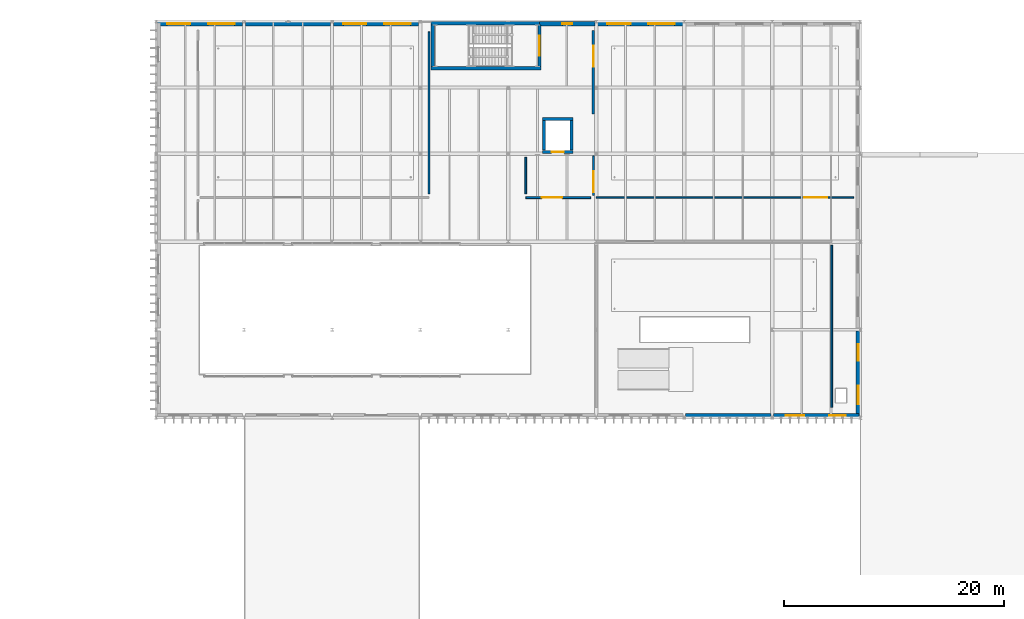
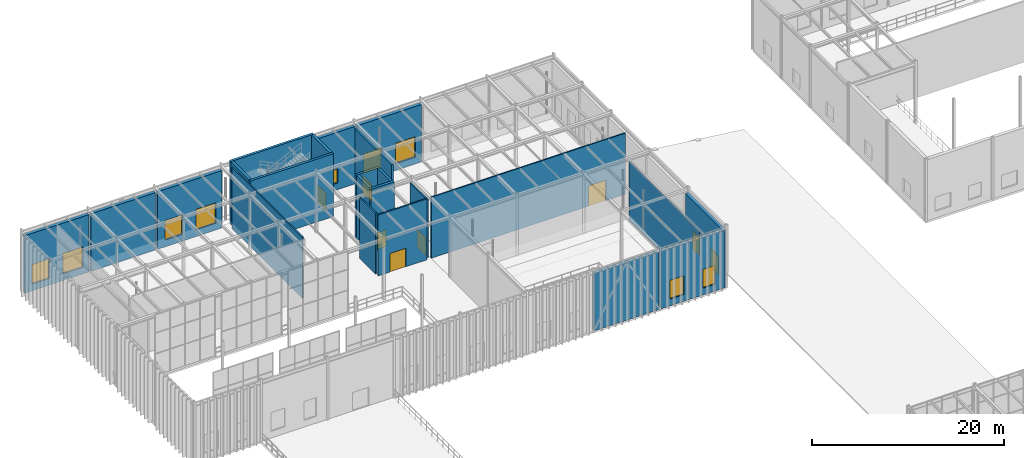
# One storey, part 93 of 138: 23 walls, 11 windows, 6 doors, 17 openings.
"""IFC4 building model written with IfcOpenShell, lengths in metres."""

import ifcopenshell
import ifcopenshell.guid

model = None  # the IFC model being written
_history = None  # IfcOwnerHistory: only IFC2X3 demands one
_inside = {}  # id of a spatial element -> (the spatial element, [elements in it])
_under = {}  # id of a project, library or spatial element -> (it, [spatial elements below it])
_declared = {}  # id of a project -> (the project, [libraries it declares])
_typed = {}  # id of a type object -> (the type object, [elements of that type])
_made_of = {}  # id of a material, layer set ... -> (it, [elements and type objects made of it])


def new_model(schema):
    """Start an empty IFC model of exactly this schema.

    Asked for "IFC4X3", IfcOpenShell would pick the latest addendum, in which some entities
    have other attributes; the version numbers below select the first issue.
    IFC2X3 requires an IfcOwnerHistory on every rooted entity: one is made here for all.
    """
    global model, _history
    if schema == "IFC4X3":
        model = ifcopenshell.file(schema_version=(4, 3, 0, 0))
    else:
        model = ifcopenshell.file(schema=schema)
    _inside.clear()
    _under.clear()
    _declared.clear()
    _typed.clear()
    _made_of.clear()
    _history = None
    if model.schema == "IFC2X3":
        org = make("IfcOrganization", Name="unknown")
        user = make(
            "IfcPersonAndOrganization",
            ThePerson=make("IfcPerson", FamilyName="unknown"),
            TheOrganization=org,
        )
        app = make(
            "IfcApplication",
            ApplicationDeveloper=org,
            Version="unknown",
            ApplicationFullName="unknown",
            ApplicationIdentifier="unknown",
        )
        _history = make(
            "IfcOwnerHistory",
            OwningUser=user,
            OwningApplication=app,
            ChangeAction="ADDED",
            CreationDate=0,
        )
    return model


def make(cls, **values):
    """One entity of the class cls with the attributes given. An attribute that is None is left unset."""
    return model.create_entity(
        cls, **{name: value for name, value in values.items() if value is not None}
    )


def rooted(cls, **values):
    """An entity with a GlobalId (a new one), such as an element, a storey or a relation."""
    return make(cls, GlobalId=ifcopenshell.guid.new(), OwnerHistory=_history, **values)


def si_unit(unit_type, name, prefix=None):
    """IfcSIUnit, for example si_unit("LENGTHUNIT", "METRE", prefix="MILLI")."""
    return make("IfcSIUnit", UnitType=unit_type, Prefix=prefix, Name=name)


def assignment(units):
    """IfcUnitAssignment: the units of a project."""
    return None if units is None else make("IfcUnitAssignment", Units=units)


def point(xyz):
    """IfcCartesianPoint."""
    return None if xyz is None else make("IfcCartesianPoint", Coordinates=xyz)


def direction(xyz):
    """IfcDirection."""
    return None if xyz is None else make("IfcDirection", DirectionRatios=xyz)


def frame(location, z_axis=None, x_axis=None):
    """IfcAxis2Placement3D, a coordinate frame: its origin and axes. An axis left out is left unset."""
    return make(
        "IfcAxis2Placement3D",
        Location=point(location),
        Axis=direction(z_axis),
        RefDirection=direction(x_axis),
    )


def frame_2d(location, x_axis=None):
    """IfcAxis2Placement2D, a coordinate frame in the plane: its origin and x axis."""
    return make(
        "IfcAxis2Placement2D", Location=point(location), RefDirection=direction(x_axis)
    )


def origin():
    """The frame at (0, 0, 0) with its axes left unset."""
    return frame((0.0, 0.0, 0.0))


def place(relative_to, where):
    """IfcLocalPlacement: puts the frame where relative to a parent placement (None: the world)."""
    return make(
        "IfcLocalPlacement", PlacementRelTo=relative_to, RelativePlacement=where
    )


def context(
    kind, dimensions, precision=None, world=None, true_north=None, identifier=None
):
    """IfcGeometricRepresentationContext, for example the 3D "Model" context."""
    return make(
        "IfcGeometricRepresentationContext",
        ContextIdentifier=identifier,
        ContextType=kind,
        CoordinateSpaceDimension=dimensions,
        Precision=precision,
        WorldCoordinateSystem=world,
        TrueNorth=true_north,
    )


def subcontext(parent, identifier, kind, view, scale=None):
    """IfcGeometricRepresentationSubContext, for example "Body" below "Model"."""
    return make(
        "IfcGeometricRepresentationSubContext",
        ContextIdentifier=identifier,
        ContextType=kind,
        ParentContext=parent,
        TargetScale=scale,
        TargetView=view,
    )


def project(units=None, contexts=None):
    """IfcProject with its units and contexts."""
    return rooted(
        "IfcProject",
        Name="project",
        RepresentationContexts=contexts,
        UnitsInContext=assignment(units),
    )


def spatial(cls, under=None, at=None, **own):
    """A site, building, storey or space (cls), placed at a placement, below another one or the project."""
    s = rooted(cls, ObjectPlacement=at, **own)
    if under is not None:
        _under.setdefault(under.id(), (under, []))[1].append(s)
    return s


def profile(cls, at=None, kind="AREA", **sizes):
    """A parametric profile (cls). Its sizes go by their IFC names, for example OverallWidth=200.0."""
    return make(cls, ProfileType=kind, Position=at, **sizes)


def rectangle(**sizes):
    """IfcRectangleProfileDef."""
    return profile("IfcRectangleProfileDef", **sizes)


def extrude(swept, where, along, depth):
    """IfcExtrudedAreaSolid: the profile swept, set in the frame where, extruded along a direction by depth."""
    return make(
        "IfcExtrudedAreaSolid",
        SweptArea=swept,
        Position=where,
        ExtrudedDirection=direction(along),
        Depth=depth,
    )


def shape(context_of_items, identifier, shape_type, items):
    """IfcShapeRepresentation: the items that make up one representation, for example the "Body"."""
    return make(
        "IfcShapeRepresentation",
        ContextOfItems=context_of_items,
        RepresentationIdentifier=identifier,
        RepresentationType=shape_type,
        Items=items,
    )


def material(Name=None, Category=None):
    """IfcMaterial."""
    return make("IfcMaterial", Name=Name, Category=Category)


def layer(
    of_material, thickness, ventilated=None, Name=None, Category=None, Priority=None
):
    """IfcMaterialLayer: one layer of a wall or slab, of a material (None: an air gap)."""
    return make(
        "IfcMaterialLayer",
        Material=of_material,
        LayerThickness=thickness,
        IsVentilated=ventilated,
        Name=Name,
        Category=Category,
        Priority=Priority,
    )


def layer_set(layers, Name=None):
    """IfcMaterialLayerSet."""
    return make("IfcMaterialLayerSet", MaterialLayers=layers, LayerSetName=Name)


def made_of(thing, what):
    """Note that an element or type object is made of a material, layer set ...; save() writes the relation."""
    if what is not None:
        _made_of.setdefault(what.id(), (what, []))[1].append(thing)
    return thing


def type_object(cls, material=None, **own):
    """A type object (cls), such as IfcWallType, which elements share."""
    return made_of(rooted(cls, **own), material)


def element(
    cls,
    number,
    at=None,
    inside=None,
    cuts=None,
    type_object=None,
    material=None,
    context=None,
    identifier="Body",
    shape_type=None,
    held_by="IfcProductDefinitionShape",
    body=None,
    shapes=None,
    **own,
):
    """One element of the class cls, such as IfcWall. Its Tag is "e" and its number.

    at: its placement. inside: the storey or other place that contains it. cuts: it is an
    opening in that element (IfcRelVoidsElement). A single representation is given by context,
    identifier, shape_type and body (its items); several are given by shapes. held_by: the class
    of the entity that holds the representations. save() writes the other relations.
    """
    e = rooted(cls, Tag="e%d" % number, ObjectPlacement=at, **own)
    if body is not None:
        shapes = [shape(context, identifier, shape_type, body)]
    if shapes is not None:
        e.Representation = make(held_by, Representations=shapes)
    if inside is not None:
        _inside.setdefault(inside.id(), (inside, []))[1].append(e)
    if cuts is not None:
        rooted(
            "IfcRelVoidsElement", RelatingBuildingElement=cuts, RelatedOpeningElement=e
        )
    if type_object is not None:
        _typed.setdefault(type_object.id(), (type_object, []))[1].append(e)
    return made_of(e, material)


def fill(opening, filler):
    """IfcRelFillsElement: the door or window that sits in an opening."""
    return rooted(
        "IfcRelFillsElement",
        RelatingOpeningElement=opening,
        RelatedBuildingElement=filler,
    )


def aggregate(whole, parts):
    """IfcRelAggregates: a whole, such as a stair, and the parts it consists of."""
    return rooted("IfcRelAggregates", RelatingObject=whole, RelatedObjects=parts)


def save(model, path):
    """Write the relations noted so far, then the file.

    IfcRelAggregates (storeys below a building ...), IfcRelContainedInSpatialStructure (elements
    in a storey), IfcRelDefinesByType, IfcRelAssociatesMaterial and IfcRelDeclares: one each for
    every whole, place, type object, material and project.
    """
    for whole, parts in _under.values():
        aggregate(whole, parts)
    for where, things in _inside.values():
        rooted(
            "IfcRelContainedInSpatialStructure",
            RelatedElements=things,
            RelatingStructure=where,
        )
    for kind, things in _typed.values():
        rooted("IfcRelDefinesByType", RelatedObjects=things, RelatingType=kind)
    for what, things in _made_of.values():
        rooted("IfcRelAssociatesMaterial", RelatedObjects=things, RelatingMaterial=what)
    for by, libraries in _declared.values():
        rooted("IfcRelDeclares", RelatingContext=by, RelatedDefinitions=libraries)
    model.write(path)


model = new_model("IFC4")

# Units and contexts
model_context = context("Model", 3, precision=1e-05, world=origin(), true_north=direction((0.0, 1.0)))
body_context = subcontext(model_context, "Body", "Model", "MODEL_VIEW")
ifc_project = project(units=[si_unit("LENGTHUNIT", "METRE"), si_unit("AREAUNIT", "SQUARE_METRE"), si_unit("VOLUMEUNIT", "CUBIC_METRE"), si_unit("PLANEANGLEUNIT", "RADIAN"), si_unit("MASSUNIT", "GRAM", prefix="KILO")], contexts=[model_context])

# Site, building, storey
site_placement = place(None, origin())
site = spatial("IfcSite", under=ifc_project, at=site_placement, CompositionType="ELEMENT")
building_placement = place(site_placement, origin())
building = spatial("IfcBuilding", under=site, at=building_placement, Name="Sundkrona Museum", CompositionType="ELEMENT")
storey_placement = place(building_placement, frame((0.0, 0.0, 9.60009765625)))
storey = spatial("IfcBuildingStorey", under=building, at=storey_placement, Name="L02", CompositionType="ELEMENT", Elevation=9.60009765625)

# Walls
ifc_material_1 = material(Name="Concrete C40/50", Category="concrete")
ifc_layer_1 = layer(ifc_material_1, 0.300048828125)
ifc_layer_set_1 = layer_set([ifc_layer_1], Name="Concrete C40/50")
wall_type_1 = type_object("IfcWallType", Name="W-CORE-300", PredefinedType="SHEAR", material=ifc_layer_set_1)
for number, where, z_axis, x_axis, name in (
    (1, (41.0, 109.75, 0.0), (0.0, 0.0, 1.0), (1.0, 0.0, 0.0), "L02 ST-3 Core Shear Wall South"),
    (2, (41.0, 113.85009765625, 0.0), (0.0, 0.0, 1.0), (1.0, 0.0, 0.0), "L02 ST-3 Core Shear Wall North"),
):
    element("IfcWall", number, at=place(storey_placement, frame(where, z_axis=z_axis, x_axis=x_axis)), inside=storey, type_object=wall_type_1, Name=name, PredefinedType="SHEAR", context=body_context, shape_type="SweptSolid", body=[
        extrude(rectangle(XDim=10.0, YDim=0.300048828125, at=frame_2d((5.0, 0.0))), origin(), (0.0, 0.0, 1.0), 8.0),
    ])
wall_1_placement = place(storey_placement, frame((41.14990234375, 109.909912109375, 0.0), z_axis=(0.0, 0.0, 1.0), x_axis=(0.0, 1.0, 0.0)))
element("IfcWall", 3, at=wall_1_placement, inside=storey, type_object=wall_type_1, Name="L02 ST-3 Core Shear Wall West", PredefinedType="SHEAR", context=body_context, shape_type="SweptSolid", body=[
    extrude(rectangle(XDim=3.780029296875, YDim=0.300048828125, at=frame_2d((1.89013671875, 0.0))), origin(), (0.0, 0.0, 1.0), 8.0),
])

# Wall, opening, door
wall_2_placement = place(storey_placement, frame((50.85009765625, 109.909912109375, 0.0), z_axis=(0.0, 0.0, 1.0), x_axis=(0.0, 1.0, 0.0)))
wall_2 = element("IfcWall", 4, at=wall_2_placement, inside=storey, type_object=wall_type_1, Name="L02 ST-3 Core Shear Wall East", PredefinedType="SHEAR", context=body_context, shape_type="SweptSolid", body=[
    extrude(rectangle(XDim=3.780029296875, YDim=0.300048828125, at=frame_2d((1.89013671875, 0.0))), origin(), (0.0, 0.0, 1.0), 8.0),
])
opening_1_placement = place(wall_2_placement, frame((0.989990234375, 0.0, 0.0)))
opening_1 = element("IfcOpeningElement", 5, at=opening_1_placement, cuts=wall_2, Name="Opening D-FD60", PredefinedType="OPENING", context=body_context, shape_type="SweptSolid", body=[
    extrude(rectangle(XDim=1.800048828125, YDim=2.199951171875, at=frame_2d((0.89990234375, 1.10009765625))), frame((0.0, 0.159912109375, 0.0), z_axis=(0.0, -1.0, 0.0), x_axis=(1.0, 0.0, 0.0)), (0.0, 0.0, 1.0), 0.320068359375),
])
ifc_material_2 = material(Name="Steel S355J2 Fire Door Leaf", Category="steel")
door_type_1 = type_object("IfcDoorType", Name="D-FD60", OperationType="DOUBLE_DOOR_SINGLE_SWING", PredefinedType="DOOR", material=ifc_material_2)
door_1_placement = place(opening_1_placement, origin())
door_1 = element("IfcDoor", 6, at=door_1_placement, inside=storey, type_object=door_type_1, Name="L02 ST-3 Protected Escape Stair Door DR-ST-3-L02", OperationType="DOUBLE_DOOR_SINGLE_SWING", OverallHeight=2.199951171875, OverallWidth=1.800048828125, PredefinedType="DOOR", context=body_context, shape_type="SweptSolid", body=[
    extrude(rectangle(XDim=1.800048828125, YDim=2.199951171875, at=frame_2d((0.89990234375, 1.10009765625))), frame((0.0, 0.02490234375, 0.0), z_axis=(0.0, -1.0, 0.0), x_axis=(1.0, 0.0, 0.0)), (0.0, 0.0, 1.0), 0.050048828125),
])
fill(opening_1, door_1)

wall_3_placement = place(storey_placement, frame((51.10009765625, 102.14990234375, 0.0), z_axis=(0.0, 0.0, 1.0), x_axis=(1.0, 0.0, 0.0)))
wall_3 = element("IfcWall", 7, at=wall_3_placement, inside=storey, type_object=wall_type_1, Name="L02 PL-3 Lift Shaft Wall South", PredefinedType="SHEAR", context=body_context, shape_type="SweptSolid", body=[
    extrude(rectangle(XDim=2.7998046875, YDim=0.300048828125, at=frame_2d((1.39990234375, 0.0))), origin(), (0.0, 0.0, 1.0), 8.0),
])
opening_2_placement = place(wall_3_placement, frame((0.85009765625, 0.0, 0.0)))
opening_2 = element("IfcOpeningElement", 8, at=opening_2_placement, cuts=wall_3, Name="Opening LD-01", PredefinedType="OPENING", context=body_context, shape_type="SweptSolid", body=[
    extrude(rectangle(XDim=1.10009765625, YDim=2.14990234375, at=frame_2d((0.550048828125, 1.074951171875))), frame((0.0, 0.159912109375, 0.0), z_axis=(0.0, -1.0, 0.0), x_axis=(1.0, 0.0, 0.0)), (0.0, 0.0, 1.0), 0.320068359375),
])
ifc_material_3 = material(Name="Brushed Stainless Steel Lift Door", Category="steel")
door_type_2 = type_object("IfcDoorType", Name="LD-01", OperationType="SLIDING_TO_LEFT", PredefinedType="DOOR", material=ifc_material_3)
door_2_placement = place(opening_2_placement, origin())
door_2 = element("IfcDoor", 9, at=door_2_placement, inside=storey, type_object=door_type_2, Name="L02 North-West Gallery Passenger Lift PL-3 Landing Door DR-LIFT-PL-3-L02", OperationType="SLIDING_TO_LEFT", OverallHeight=2.14990234375, OverallWidth=1.10009765625, PredefinedType="DOOR", context=body_context, shape_type="SweptSolid", body=[
    extrude(rectangle(XDim=1.10009765625, YDim=2.14990234375, at=frame_2d((0.550048828125, 1.074951171875))), frame((0.0, 0.02490234375, 0.0), z_axis=(0.0, -1.0, 0.0), x_axis=(1.0, 0.0, 0.0)), (0.0, 0.0, 1.0), 0.050048828125),
])
fill(opening_2, door_2)

# Walls
wall_4_placement = place(storey_placement, frame((51.10009765625, 105.14990234375, 0.0), z_axis=(0.0, 0.0, 1.0), x_axis=(1.0, 0.0, 0.0)))
element("IfcWall", 10, at=wall_4_placement, inside=storey, type_object=wall_type_1, Name="L02 PL-3 Lift Shaft Wall North", PredefinedType="SHEAR", context=body_context, shape_type="SweptSolid", body=[
    extrude(rectangle(XDim=2.7998046875, YDim=0.300048828125, at=frame_2d((1.39990234375, 0.0))), origin(), (0.0, 0.0, 1.0), 8.0),
])
for number, where, z_axis, x_axis, name in (
    (11, (51.25, 102.31005859375, 0.0), (0.0, 0.0, 1.0), (0.0, 1.0, 0.0), "L02 PL-3 Lift Shaft Wall West"),
    (12, (53.75, 102.31005859375, 0.0), (0.0, 0.0, 1.0), (0.0, 1.0, 0.0), "L02 PL-3 Lift Shaft Wall East"),
):
    element("IfcWall", number, at=place(storey_placement, frame(where, z_axis=z_axis, x_axis=x_axis)), inside=storey, type_object=wall_type_1, Name=name, PredefinedType="SHEAR", context=body_context, shape_type="SweptSolid", body=[
        extrude(rectangle(XDim=2.679931640625, YDim=0.300048828125, at=frame_2d((1.33984375, 0.0))), origin(), (0.0, 0.0, 1.0), 8.0),
    ])
ifc_material_4 = material(Name="Scanian Polychrome Clay Brickwork 390 mm", Category="masonry")
ifc_layer_2 = layer(ifc_material_4, 0.389892578125)
ifc_layer_set_2 = layer_set([ifc_layer_2], Name="Scanian Polychrome Clay Brickwork 390 mm")
wall_type_2 = type_object("IfcWallType", Name="W-EX-390", PredefinedType="SOLIDWALL", material=ifc_layer_set_2)
wall_5_placement = place(storey_placement, frame((71.867919921875, 78.195068359375, 0.0), z_axis=(0.0, 0.0, 1.0), x_axis=(-1.0, 0.0, 0.0)))
element("IfcWall", 13, at=wall_5_placement, inside=storey, type_object=wall_type_2, Name="L02 Facade Wall 0140", PredefinedType="SOLIDWALL", context=body_context, shape_type="SweptSolid", body=[
    extrude(rectangle(XDim=7.73583984375, YDim=0.389892578125, at=frame_2d((3.867919921875, 0.0))), origin(), (0.0, 0.0, 1.0), 7.304931640625),
])

# Wall, openings, windows
wall_6_placement = place(storey_placement, frame((79.85791015625, 78.195068359375, 0.0), z_axis=(0.0, 0.0, 1.0), x_axis=(-1.0, 0.0, 0.0)))
wall_6 = element("IfcWall", 14, at=wall_6_placement, inside=storey, type_object=wall_type_2, Name="L02 Facade Wall 0141", PredefinedType="SOLIDWALL", context=body_context, shape_type="SweptSolid", body=[
    extrude(rectangle(XDim=7.725830078125, YDim=0.389892578125, at=frame_2d((3.86279296875, 0.0))), origin(), (0.0, 0.0, 1.0), 7.304931640625),
])
opening_3_placement = place(wall_6_placement, frame((1.181396484375, 0.0, 0.85009765625)))
opening_3 = element("IfcOpeningElement", 15, at=opening_3_placement, cuts=wall_6, Name="Opening WN-GL-150x240", PredefinedType="OPENING", context=body_context, shape_type="SweptSolid", body=[
    extrude(rectangle(XDim=1.5, YDim=2.39990234375, at=frame_2d((0.75, 1.199951171875))), frame((0.0, 0.204833984375, 0.0), z_axis=(0.0, -1.0, 0.0), x_axis=(1.0, 0.0, 0.0)), (0.0, 0.0, 1.0), 0.409912109375),
])
opening_4_placement = place(wall_6_placement, frame((4.944580078125, 0.0, 0.85009765625)))
opening_4 = element("IfcOpeningElement", 16, at=opening_4_placement, cuts=wall_6, Name="Opening WN-GL-170x240", PredefinedType="OPENING", context=body_context, shape_type="SweptSolid", body=[
    extrude(rectangle(XDim=1.699951171875, YDim=2.39990234375, at=frame_2d((0.85009765625, 1.199951171875))), frame((0.0, 0.204833984375, 0.0), z_axis=(0.0, -1.0, 0.0), x_axis=(1.0, 0.0, 0.0)), (0.0, 0.0, 1.0), 0.409912109375),
])
ifc_material_5 = material(Name="Triple Low-E Argon Glazing in Bronze-Anodised Aluminium", Category="aluminium")
window_type_1 = type_object("IfcWindowType", Name="WN-GL-150x240", PartitioningType="SINGLE_PANEL", PredefinedType="WINDOW", material=ifc_material_5)
window_1_placement = place(opening_3_placement, origin())
window_1 = element("IfcWindow", 17, at=window_1_placement, inside=storey, type_object=window_type_1, Name="L02 Finned wing deep-reveal gallery window 1500x2400 WIN-L02-0193", OverallHeight=2.39990234375, OverallWidth=1.5, PartitioningType="SINGLE_PANEL", PredefinedType="WINDOW", context=body_context, shape_type="SweptSolid", body=[
    extrude(rectangle(XDim=1.5, YDim=2.39990234375, at=frame_2d((0.75, 1.199951171875))), frame((0.0, 0.030029296875, 0.0), z_axis=(0.0, -1.0, 0.0), x_axis=(1.0, 0.0, 0.0)), (0.0, 0.0, 1.0), 0.06005859375),
])
fill(opening_3, window_1)
window_type_2 = type_object("IfcWindowType", Name="WN-GL-170x240", PartitioningType="DOUBLE_PANEL_VERTICAL", PredefinedType="WINDOW", material=ifc_material_5)
window_2_placement = place(opening_4_placement, origin())
window_2 = element("IfcWindow", 18, at=window_2_placement, inside=storey, type_object=window_type_2, Name="L02 Finned wing wide gallery window 1700x2400 WIN-L02-0194", OverallHeight=2.39990234375, OverallWidth=1.699951171875, PartitioningType="DOUBLE_PANEL_VERTICAL", PredefinedType="WINDOW", context=body_context, shape_type="SweptSolid", body=[
    extrude(rectangle(XDim=1.699951171875, YDim=2.39990234375, at=frame_2d((0.85009765625, 1.199951171875))), frame((0.0, 0.030029296875, 0.0), z_axis=(0.0, -1.0, 0.0), x_axis=(1.0, 0.0, 0.0)), (0.0, 0.0, 1.0), 0.06005859375),
])
fill(opening_4, window_2)

wall_7_placement = place(storey_placement, frame((16.132080078125, 113.804931640625, 0.0), z_axis=(0.0, 0.0, 1.0), x_axis=(1.0, 0.0, 0.0)))
wall_7 = element("IfcWall", 19, at=wall_7_placement, inside=storey, type_object=wall_type_2, Name="L02 Facade Wall 0147", PredefinedType="SOLIDWALL", context=body_context, shape_type="SweptSolid", body=[
    extrude(rectangle(XDim=7.73583984375, YDim=0.389892578125, at=frame_2d((3.867919921875, 0.0))), origin(), (0.0, 0.0, 1.0), 7.304931640625),
])
opening_5_placement = place(wall_7_placement, frame((0.884033203125, 0.0, 0.85009765625)))
opening_5 = element("IfcOpeningElement", 20, at=opening_5_placement, cuts=wall_7, Name="Opening WN-GL-210x250", PredefinedType="OPENING", context=body_context, shape_type="SweptSolid", body=[
    extrude(rectangle(XDim=2.10009765625, YDim=2.5, at=frame_2d((1.050048828125, 1.25))), frame((0.0, 0.204833984375, 0.0), z_axis=(0.0, -1.0, 0.0), x_axis=(1.0, 0.0, 0.0)), (0.0, 0.0, 1.0), 0.409912109375),
])
opening_6_placement = place(wall_7_placement, frame((4.60205078125, 0.0, 0.85009765625)))
opening_6 = element("IfcOpeningElement", 21, at=opening_6_placement, cuts=wall_7, Name="Opening WN-GL-240x260", PredefinedType="OPENING", context=body_context, shape_type="SweptSolid", body=[
    extrude(rectangle(XDim=2.39990234375, YDim=2.60009765625, at=frame_2d((1.199951171875, 1.300048828125))), frame((0.0, 0.204833984375, 0.0), z_axis=(0.0, -1.0, 0.0), x_axis=(1.0, 0.0, 0.0)), (0.0, 0.0, 1.0), 0.409912109375),
])
window_type_3 = type_object("IfcWindowType", Name="WN-GL-210x250", PartitioningType="DOUBLE_PANEL_VERTICAL", PredefinedType="WINDOW", material=ifc_material_5)
window_3_placement = place(opening_5_placement, origin())
window_3 = element("IfcWindow", 22, at=window_3_placement, inside=storey, type_object=window_type_3, Name="L02 Botanical court outlook window 2100x2500 WIN-L02-0201", OverallHeight=2.5, OverallWidth=2.10009765625, PartitioningType="DOUBLE_PANEL_VERTICAL", PredefinedType="WINDOW", context=body_context, shape_type="SweptSolid", body=[
    extrude(rectangle(XDim=2.10009765625, YDim=2.5, at=frame_2d((1.050048828125, 1.25))), frame((0.0, 0.030029296875, 0.0), z_axis=(0.0, -1.0, 0.0), x_axis=(1.0, 0.0, 0.0)), (0.0, 0.0, 1.0), 0.06005859375),
])
fill(opening_5, window_3)
window_type_4 = type_object("IfcWindowType", Name="WN-GL-240x260", PartitioningType="TRIPLE_PANEL_VERTICAL", PredefinedType="WINDOW", material=ifc_material_5)
window_4_placement = place(opening_6_placement, origin())
window_4 = element("IfcWindow", 23, at=window_4_placement, inside=storey, type_object=window_type_4, Name="L02 Cloister garden picture window 2400x2600 WIN-L02-0202", OverallHeight=2.60009765625, OverallWidth=2.39990234375, PartitioningType="TRIPLE_PANEL_VERTICAL", PredefinedType="WINDOW", context=body_context, shape_type="SweptSolid", body=[
    extrude(rectangle(XDim=2.39990234375, YDim=2.60009765625, at=frame_2d((1.199951171875, 1.300048828125))), frame((0.0, 0.030029296875, 0.0), z_axis=(0.0, -1.0, 0.0), x_axis=(1.0, 0.0, 0.0)), (0.0, 0.0, 1.0), 0.06005859375),
])
fill(opening_6, window_4)

# Wall
wall_8_placement = place(storey_placement, frame((24.132080078125, 113.804931640625, 0.0), z_axis=(0.0, 0.0, 1.0), x_axis=(1.0, 0.0, 0.0)))
element("IfcWall", 24, at=wall_8_placement, inside=storey, type_object=wall_type_2, Name="L02 Facade Wall 0148", PredefinedType="SOLIDWALL", context=body_context, shape_type="SweptSolid", body=[
    extrude(rectangle(XDim=7.73583984375, YDim=0.389892578125, at=frame_2d((3.867919921875, 0.0))), origin(), (0.0, 0.0, 1.0), 7.304931640625),
])

# Wall, openings, windows
wall_9_placement = place(storey_placement, frame((32.132080078125, 113.804931640625, 0.0), z_axis=(0.0, 0.0, 1.0), x_axis=(1.0, 0.0, 0.0)))
wall_9 = element("IfcWall", 25, at=wall_9_placement, inside=storey, type_object=wall_type_2, Name="L02 Facade Wall 0149", PredefinedType="SOLIDWALL", context=body_context, shape_type="SweptSolid", body=[
    extrude(rectangle(XDim=7.73583984375, YDim=0.389892578125, at=frame_2d((3.867919921875, 0.0))), origin(), (0.0, 0.0, 1.0), 7.304931640625),
])
opening_7_placement = place(wall_9_placement, frame((0.884033203125, 0.0, 0.85009765625)))
opening_7 = element("IfcOpeningElement", 26, at=opening_7_placement, cuts=wall_9, Name="Opening WN-GL-210x250", PredefinedType="OPENING", context=body_context, shape_type="SweptSolid", body=[
    extrude(rectangle(XDim=2.10009765625, YDim=2.5, at=frame_2d((1.050048828125, 1.25))), frame((0.0, 0.204833984375, 0.0), z_axis=(0.0, -1.0, 0.0), x_axis=(1.0, 0.0, 0.0)), (0.0, 0.0, 1.0), 0.409912109375),
])
opening_8_placement = place(wall_9_placement, frame((4.60205078125, 0.0, 0.85009765625)))
opening_8 = element("IfcOpeningElement", 27, at=opening_8_placement, cuts=wall_9, Name="Opening WN-GL-240x260", PredefinedType="OPENING", context=body_context, shape_type="SweptSolid", body=[
    extrude(rectangle(XDim=2.39990234375, YDim=2.60009765625, at=frame_2d((1.199951171875, 1.300048828125))), frame((0.0, 0.204833984375, 0.0), z_axis=(0.0, -1.0, 0.0), x_axis=(1.0, 0.0, 0.0)), (0.0, 0.0, 1.0), 0.409912109375),
])
window_5_placement = place(opening_7_placement, origin())
window_5 = element("IfcWindow", 28, at=window_5_placement, inside=storey, type_object=window_type_3, Name="L02 Botanical court outlook window 2100x2500 WIN-L02-0203", OverallHeight=2.5, OverallWidth=2.10009765625, PartitioningType="DOUBLE_PANEL_VERTICAL", PredefinedType="WINDOW", context=body_context, shape_type="SweptSolid", body=[
    extrude(rectangle(XDim=2.10009765625, YDim=2.5, at=frame_2d((1.050048828125, 1.25))), frame((0.0, 0.030029296875, 0.0), z_axis=(0.0, -1.0, 0.0), x_axis=(1.0, 0.0, 0.0)), (0.0, 0.0, 1.0), 0.06005859375),
])
fill(opening_7, window_5)
window_6_placement = place(opening_8_placement, origin())
window_6 = element("IfcWindow", 29, at=window_6_placement, inside=storey, type_object=window_type_4, Name="L02 Cloister garden picture window 2400x2600 WIN-L02-0204", OverallHeight=2.60009765625, OverallWidth=2.39990234375, PartitioningType="TRIPLE_PANEL_VERTICAL", PredefinedType="WINDOW", context=body_context, shape_type="SweptSolid", body=[
    extrude(rectangle(XDim=2.39990234375, YDim=2.60009765625, at=frame_2d((1.199951171875, 1.300048828125))), frame((0.0, 0.030029296875, 0.0), z_axis=(0.0, -1.0, 0.0), x_axis=(1.0, 0.0, 0.0)), (0.0, 0.0, 1.0), 0.06005859375),
])
fill(opening_8, window_6)

# Wall, opening, window
wall_10_placement = place(storey_placement, frame((50.860107421875, 113.804931640625, 0.0), z_axis=(0.0, 0.0, 1.0), x_axis=(1.0, 0.0, 0.0)))
wall_10 = element("IfcWall", 30, at=wall_10_placement, inside=storey, type_object=wall_type_2, Name="L02 Facade Wall 0150", PredefinedType="SOLIDWALL", context=body_context, shape_type="SweptSolid", body=[
    extrude(rectangle(XDim=5.0078125, YDim=0.389892578125, at=frame_2d((2.50390625, 0.0))), origin(), (0.0, 0.0, 1.0), 7.304931640625),
])
opening_9_placement = place(wall_10_placement, frame((2.053955078125, 0.0, 0.85009765625)))
opening_9 = element("IfcOpeningElement", 31, at=opening_9_placement, cuts=wall_10, Name="Opening WN-ST-090x180", PredefinedType="OPENING", context=body_context, shape_type="SweptSolid", body=[
    extrude(rectangle(XDim=0.89990234375, YDim=1.800048828125, at=frame_2d((0.449951171875, 0.89990234375))), frame((0.0, 0.204833984375, 0.0), z_axis=(0.0, -1.0, 0.0), x_axis=(1.0, 0.0, 0.0)), (0.0, 0.0, 1.0), 0.409912109375),
])
window_type_5 = type_object("IfcWindowType", Name="WN-ST-090x180", PartitioningType="SINGLE_PANEL", PredefinedType="WINDOW", material=ifc_material_5)
window_7_placement = place(opening_9_placement, origin())
window_7 = element("IfcWindow", 32, at=window_7_placement, inside=storey, type_object=window_type_5, Name="L02 Stair-core avenue daylight slot window 900x1800 WIN-L02-0205", OverallHeight=1.800048828125, OverallWidth=0.89990234375, PartitioningType="SINGLE_PANEL", PredefinedType="WINDOW", context=body_context, shape_type="SweptSolid", body=[
    extrude(rectangle(XDim=0.89990234375, YDim=1.800048828125, at=frame_2d((0.449951171875, 0.89990234375))), frame((0.0, 0.030029296875, 0.0), z_axis=(0.0, -1.0, 0.0), x_axis=(1.0, 0.0, 0.0)), (0.0, 0.0, 1.0), 0.06005859375),
])
fill(opening_9, window_7)

# Wall, openings, windows
wall_11_placement = place(storey_placement, frame((56.132080078125, 113.804931640625, 0.0), z_axis=(0.0, 0.0, 1.0), x_axis=(1.0, 0.0, 0.0)))
wall_11 = element("IfcWall", 33, at=wall_11_placement, inside=storey, type_object=wall_type_2, Name="L02 Facade Wall 0151", PredefinedType="SOLIDWALL", context=body_context, shape_type="SweptSolid", body=[
    extrude(rectangle(XDim=7.73583984375, YDim=0.389892578125, at=frame_2d((3.867919921875, 0.0))), origin(), (0.0, 0.0, 1.0), 7.304931640625),
])
opening_10_placement = place(wall_11_placement, frame((0.884033203125, 0.0, 0.85009765625)))
opening_10 = element("IfcOpeningElement", 34, at=opening_10_placement, cuts=wall_11, Name="Opening WN-GL-210x250", PredefinedType="OPENING", context=body_context, shape_type="SweptSolid", body=[
    extrude(rectangle(XDim=2.10009765625, YDim=2.5, at=frame_2d((1.050048828125, 1.25))), frame((0.0, 0.204833984375, 0.0), z_axis=(0.0, -1.0, 0.0), x_axis=(1.0, 0.0, 0.0)), (0.0, 0.0, 1.0), 0.409912109375),
])
opening_11_placement = place(wall_11_placement, frame((4.60205078125, 0.0, 0.85009765625)))
opening_11 = element("IfcOpeningElement", 35, at=opening_11_placement, cuts=wall_11, Name="Opening WN-GL-240x260", PredefinedType="OPENING", context=body_context, shape_type="SweptSolid", body=[
    extrude(rectangle(XDim=2.39990234375, YDim=2.60009765625, at=frame_2d((1.199951171875, 1.300048828125))), frame((0.0, 0.204833984375, 0.0), z_axis=(0.0, -1.0, 0.0), x_axis=(1.0, 0.0, 0.0)), (0.0, 0.0, 1.0), 0.409912109375),
])
window_8_placement = place(opening_10_placement, origin())
window_8 = element("IfcWindow", 36, at=window_8_placement, inside=storey, type_object=window_type_3, Name="L02 Botanical court outlook window 2100x2500 WIN-L02-0206", OverallHeight=2.5, OverallWidth=2.10009765625, PartitioningType="DOUBLE_PANEL_VERTICAL", PredefinedType="WINDOW", context=body_context, shape_type="SweptSolid", body=[
    extrude(rectangle(XDim=2.10009765625, YDim=2.5, at=frame_2d((1.050048828125, 1.25))), frame((0.0, 0.030029296875, 0.0), z_axis=(0.0, -1.0, 0.0), x_axis=(1.0, 0.0, 0.0)), (0.0, 0.0, 1.0), 0.06005859375),
])
fill(opening_10, window_8)
window_9_placement = place(opening_11_placement, origin())
window_9 = element("IfcWindow", 37, at=window_9_placement, inside=storey, type_object=window_type_4, Name="L02 Cloister garden picture window 2400x2600 WIN-L02-0207", OverallHeight=2.60009765625, OverallWidth=2.39990234375, PartitioningType="TRIPLE_PANEL_VERTICAL", PredefinedType="WINDOW", context=body_context, shape_type="SweptSolid", body=[
    extrude(rectangle(XDim=2.39990234375, YDim=2.60009765625, at=frame_2d((1.199951171875, 1.300048828125))), frame((0.0, 0.030029296875, 0.0), z_axis=(0.0, -1.0, 0.0), x_axis=(1.0, 0.0, 0.0)), (0.0, 0.0, 1.0), 0.06005859375),
])
fill(opening_11, window_9)

wall_12_placement = place(storey_placement, frame((79.804931640625, 85.85791015625, 0.0), z_axis=(0.0, 0.0, 1.0), x_axis=(0.0, -1.0, 0.0)))
wall_12 = element("IfcWall", 38, at=wall_12_placement, inside=storey, type_object=wall_type_2, Name="L02 Facade Wall 0255", PredefinedType="SOLIDWALL", context=body_context, shape_type="SweptSolid", body=[
    extrude(rectangle(XDim=7.7158203125, YDim=0.389892578125, at=frame_2d((3.85791015625, 0.0))), origin(), (0.0, 0.0, 1.0), 7.304931640625),
])
opening_12_placement = place(wall_12_placement, frame((1.178955078125, 0.0, 0.85009765625)))
opening_12 = element("IfcOpeningElement", 39, at=opening_12_placement, cuts=wall_12, Name="Opening WN-GL-150x240", PredefinedType="OPENING", context=body_context, shape_type="SweptSolid", body=[
    extrude(rectangle(XDim=1.5, YDim=2.39990234375, at=frame_2d((0.75, 1.199951171875))), frame((0.0, 0.204833984375, 0.0), z_axis=(0.0, -1.0, 0.0), x_axis=(1.0, 0.0, 0.0)), (0.0, 0.0, 1.0), 0.409912109375),
])
opening_13_placement = place(wall_12_placement, frame((4.93701171875, 0.0, 0.85009765625)))
opening_13 = element("IfcOpeningElement", 40, at=opening_13_placement, cuts=wall_12, Name="Opening WN-GL-170x240", PredefinedType="OPENING", context=body_context, shape_type="SweptSolid", body=[
    extrude(rectangle(XDim=1.699951171875, YDim=2.39990234375, at=frame_2d((0.85009765625, 1.199951171875))), frame((0.0, 0.204833984375, 0.0), z_axis=(0.0, -1.0, 0.0), x_axis=(1.0, 0.0, 0.0)), (0.0, 0.0, 1.0), 0.409912109375),
])
window_10_placement = place(opening_12_placement, origin())
window_10 = element("IfcWindow", 41, at=window_10_placement, inside=storey, type_object=window_type_1, Name="L02 Finned wing deep-reveal gallery window 1500x2400 WIN-L02-0350", OverallHeight=2.39990234375, OverallWidth=1.5, PartitioningType="SINGLE_PANEL", PredefinedType="WINDOW", context=body_context, shape_type="SweptSolid", body=[
    extrude(rectangle(XDim=1.5, YDim=2.39990234375, at=frame_2d((0.75, 1.199951171875))), frame((0.0, 0.030029296875, 0.0), z_axis=(0.0, -1.0, 0.0), x_axis=(1.0, 0.0, 0.0)), (0.0, 0.0, 1.0), 0.06005859375),
])
fill(opening_12, window_10)
window_11_placement = place(opening_13_placement, origin())
window_11 = element("IfcWindow", 42, at=window_11_placement, inside=storey, type_object=window_type_2, Name="L02 Finned wing wide gallery window 1700x2400 WIN-L02-0351", OverallHeight=2.39990234375, OverallWidth=1.699951171875, PartitioningType="DOUBLE_PANEL_VERTICAL", PredefinedType="WINDOW", context=body_context, shape_type="SweptSolid", body=[
    extrude(rectangle(XDim=1.699951171875, YDim=2.39990234375, at=frame_2d((0.85009765625, 1.199951171875))), frame((0.0, 0.030029296875, 0.0), z_axis=(0.0, -1.0, 0.0), x_axis=(1.0, 0.0, 0.0)), (0.0, 0.0, 1.0), 0.06005859375),
])
fill(opening_13, window_11)

# Wall, opening, door
ifc_material_6 = material(Name="Autoclaved Aerated Masonry 225 mm", Category="masonry")
ifc_layer_3 = layer(ifc_material_6, 0.22509765625)
ifc_layer_set_3 = layer_set([ifc_layer_3], Name="Autoclaved Aerated Masonry 225 mm")
wall_type_3 = type_object("IfcWallType", Name="W-FF-225", PredefinedType="SOLIDWALL", material=ifc_layer_set_3)
wall_13_placement = place(storey_placement, frame((55.75, 105.60009765625, 0.0), z_axis=(0.0, 0.0, 1.0), x_axis=(0.0, 1.0, 0.0)))
wall_13 = element("IfcWall", 43, at=wall_13_placement, inside=storey, type_object=wall_type_3, Name="L02 Partition Core 3 Stair Lobby / Tapestry and Textile Gallery", PredefinedType="SOLIDWALL", context=body_context, shape_type="SweptSolid", body=[
    extrude(rectangle(XDim=7.599853515625, YDim=0.22509765625, at=frame_2d((3.7998046875, 0.0))), origin(), (0.0, 0.0, 1.0), 7.369873046875),
])
opening_14_placement = place(wall_13_placement, frame((4.30712890625, 0.0, 0.0)))
opening_14 = element("IfcOpeningElement", 44, at=opening_14_placement, cuts=wall_13, Name="Opening D-AUD-190", PredefinedType="OPENING", context=body_context, shape_type="SweptSolid", body=[
    extrude(rectangle(XDim=1.89990234375, YDim=2.35009765625, at=frame_2d((0.949951171875, 1.175048828125))), frame((0.0, 0.12255859375, 0.0), z_axis=(0.0, -1.0, 0.0), x_axis=(1.0, 0.0, 0.0)), (0.0, 0.0, 1.0), 0.2451171875),
])
ifc_material_7 = material(Name="Acoustic Oak Fire Door", Category="other")
door_type_3 = type_object("IfcDoorType", Name="D-AUD-190", OperationType="DOUBLE_DOOR_SINGLE_SWING", PredefinedType="DOOR", material=ifc_material_7)
door_3_placement = place(opening_14_placement, origin())
door_3 = element("IfcDoor", 45, at=door_3_placement, inside=storey, type_object=door_type_3, Name="L02 Interior Door DR-ADJ-L02-0123", OperationType="DOUBLE_DOOR_SINGLE_SWING", OverallHeight=2.35009765625, OverallWidth=1.89990234375, PredefinedType="DOOR", context=body_context, shape_type="SweptSolid", body=[
    extrude(rectangle(XDim=1.89990234375, YDim=2.35009765625, at=frame_2d((0.949951171875, 1.175048828125))), frame((0.0, 0.02490234375, 0.0), z_axis=(0.0, -1.0, 0.0), x_axis=(1.0, 0.0, 0.0)), (0.0, 0.0, 1.0), 0.050048828125),
])
fill(opening_14, door_3)

ifc_material_8 = material(Name="Acoustic Gypsum Partition Board 150 mm", Category="other")
ifc_layer_4 = layer(ifc_material_8, 0.14990234375)
ifc_layer_set_4 = layer_set([ifc_layer_4], Name="Acoustic Gypsum Partition Board 150 mm")
wall_type_4 = type_object("IfcWallType", Name="W-PT-150", PredefinedType="PARTITIONING", material=ifc_layer_set_4)
wall_14_placement = place(storey_placement, frame((56.0, 98.0, 0.0), z_axis=(0.0, 0.0, 1.0), x_axis=(1.0, 0.0, 0.0)))
wall_14 = element("IfcWall", 46, at=wall_14_placement, inside=storey, type_object=wall_type_4, Name="L02 Partition North Wing Gallery Corridor / Tapestry and Textile Gallery", PredefinedType="PARTITIONING", context=body_context, shape_type="SweptSolid", body=[
    extrude(rectangle(XDim=23.39990234375, YDim=0.14990234375, at=frame_2d((11.699951171875, 0.0))), origin(), (0.0, 0.0, 1.0), 7.760009765625),
])
opening_15_placement = place(wall_14_placement, frame((18.89501953125, 0.0, 0.0)))
opening_15 = element("IfcOpeningElement", 47, at=opening_15_placement, cuts=wall_14, Name="Opening D-GAL-210", PredefinedType="OPENING", context=body_context, shape_type="SweptSolid", body=[
    extrude(rectangle(XDim=2.10009765625, YDim=2.60009765625, at=frame_2d((1.050048828125, 1.300048828125))), frame((0.0, 0.0849609375, 0.0), z_axis=(0.0, -1.0, 0.0), x_axis=(1.0, 0.0, 0.0)), (0.0, 0.0, 1.0), 0.169921875),
])
ifc_material_9 = material(Name="European Oak Gallery Door", Category="other")
door_type_4 = type_object("IfcDoorType", Name="D-GAL-210", OperationType="DOUBLE_DOOR_SINGLE_SWING", PredefinedType="DOOR", material=ifc_material_9)
door_4_placement = place(opening_15_placement, origin())
door_4 = element("IfcDoor", 48, at=door_4_placement, inside=storey, type_object=door_type_4, Name="L02 Interior Door DR-ADJ-L02-0139", OperationType="DOUBLE_DOOR_SINGLE_SWING", OverallHeight=2.60009765625, OverallWidth=2.10009765625, PredefinedType="DOOR", context=body_context, shape_type="SweptSolid", body=[
    extrude(rectangle(XDim=2.10009765625, YDim=2.60009765625, at=frame_2d((1.050048828125, 1.300048828125))), frame((0.0, 0.02490234375, 0.0), z_axis=(0.0, -1.0, 0.0), x_axis=(1.0, 0.0, 0.0)), (0.0, 0.0, 1.0), 0.050048828125),
])
fill(opening_15, door_4)

# Walls
wall_15_placement = place(storey_placement, frame((40.800048828125, 98.35009765625, 0.0), z_axis=(0.0, 0.0, 1.0), x_axis=(0.0, 1.0, 0.0)))
element("IfcWall", 49, at=wall_15_placement, inside=storey, type_object=wall_type_4, Name="L02 Modernist Sculpture Gallery Enclosure Wall E", PredefinedType="PARTITIONING", context=body_context, shape_type="SweptSolid", body=[
    extrude(rectangle(XDim=14.699951171875, YDim=0.14990234375, at=frame_2d((7.35009765625, 0.0))), origin(), (0.0, 0.0, 1.0), 7.760009765625),
])
wall_16_placement = place(storey_placement, frame((77.39990234375, 78.949951171875, 0.0), z_axis=(0.0, 0.0, 1.0), x_axis=(0.0, 1.0, 0.0)))
element("IfcWall", 50, at=wall_16_placement, inside=storey, type_object=wall_type_4, Name="L02 Temporary Exhibition Hall Enclosure Wall E", PredefinedType="PARTITIONING", context=body_context, shape_type="SweptSolid", body=[
    extrude(rectangle(XDim=14.699951171875, YDim=0.14990234375, at=frame_2d((7.35009765625, 0.0))), origin(), (0.0, 0.0, 1.0), 7.4599609375),
])

# Wall, opening, door
ifc_material_10 = material(Name="Fire-rated Gypsum Partition Board 175 mm", Category="other")
ifc_layer_5 = layer(ifc_material_10, 0.175048828125)
ifc_layer_set_5 = layer_set([ifc_layer_5], Name="Fire-rated Gypsum Partition Board 175 mm")
wall_type_5 = type_object("IfcWallType", Name="W-PT-175", PredefinedType="PARTITIONING", material=ifc_layer_set_5)
wall_17_placement = place(storey_placement, frame((49.60009765625, 98.0, 0.0), z_axis=(0.0, 0.0, 1.0), x_axis=(1.0, 0.0, 0.0)))
wall_17 = element("IfcWall", 51, at=wall_17_placement, inside=storey, type_object=wall_type_5, Name="L02 Partition North-West Lift Lobby / North Wing Gallery Corridor", PredefinedType="PARTITIONING", context=body_context, shape_type="SweptSolid", body=[
    extrude(rectangle(XDim=5.89990234375, YDim=0.175048828125, at=frame_2d((2.949951171875, 0.0))), origin(), (0.0, 0.0, 1.0), 7.760009765625),
])
opening_16_placement = place(wall_17_placement, frame((1.433349609375, 0.0, 0.0)))
opening_16 = element("IfcOpeningElement", 52, at=opening_16_placement, cuts=wall_17, Name="Opening D-AUD-190", PredefinedType="OPENING", context=body_context, shape_type="SweptSolid", body=[
    extrude(rectangle(XDim=1.89990234375, YDim=2.35009765625, at=frame_2d((0.949951171875, 1.175048828125))), frame((0.0, 0.097412109375, 0.0), z_axis=(0.0, -1.0, 0.0), x_axis=(1.0, 0.0, 0.0)), (0.0, 0.0, 1.0), 0.195068359375),
])
door_5_placement = place(opening_16_placement, origin())
door_5 = element("IfcDoor", 53, at=door_5_placement, inside=storey, type_object=door_type_3, Name="L02 Interior Door DR-ADJ-L02-0124", OperationType="DOUBLE_DOOR_SINGLE_SWING", OverallHeight=2.35009765625, OverallWidth=1.89990234375, PredefinedType="DOOR", context=body_context, shape_type="SweptSolid", body=[
    extrude(rectangle(XDim=1.89990234375, YDim=2.35009765625, at=frame_2d((0.949951171875, 1.175048828125))), frame((0.0, 0.02490234375, 0.0), z_axis=(0.0, -1.0, 0.0), x_axis=(1.0, 0.0, 0.0)), (0.0, 0.0, 1.0), 0.050048828125),
])
fill(opening_16, door_5)

wall_18_placement = place(storey_placement, frame((55.75, 98.199951171875, 0.0), z_axis=(0.0, 0.0, 1.0), x_axis=(0.0, 1.0, 0.0)))
wall_18 = element("IfcWall", 54, at=wall_18_placement, inside=storey, type_object=wall_type_5, Name="L02 Partition North-West Lift Lobby / Tapestry and Textile Gallery", PredefinedType="PARTITIONING", context=body_context, shape_type="SweptSolid", body=[
    extrude(rectangle(XDim=3.60009765625, YDim=0.175048828125, at=frame_2d((1.800048828125, 0.0))), origin(), (0.0, 0.0, 1.0), 7.369873046875),
])
opening_17_placement = place(wall_18_placement, frame((0.300048828125, 0.0, 0.0)))
opening_17 = element("IfcOpeningElement", 55, at=opening_17_placement, cuts=wall_18, Name="Opening D-AUD-190", PredefinedType="OPENING", context=body_context, shape_type="SweptSolid", body=[
    extrude(rectangle(XDim=1.89990234375, YDim=2.35009765625, at=frame_2d((0.949951171875, 1.175048828125))), frame((0.0, 0.097412109375, 0.0), z_axis=(0.0, -1.0, 0.0), x_axis=(1.0, 0.0, 0.0)), (0.0, 0.0, 1.0), 0.195068359375),
])
door_6_placement = place(opening_17_placement, origin())
door_6 = element("IfcDoor", 56, at=door_6_placement, inside=storey, type_object=door_type_3, Name="L02 Interior Door DR-ADJ-L02-0125", OperationType="DOUBLE_DOOR_SINGLE_SWING", OverallHeight=2.35009765625, OverallWidth=1.89990234375, PredefinedType="DOOR", context=body_context, shape_type="SweptSolid", body=[
    extrude(rectangle(XDim=1.89990234375, YDim=2.35009765625, at=frame_2d((0.949951171875, 1.175048828125))), frame((0.0, 0.02490234375, 0.0), z_axis=(0.0, -1.0, 0.0), x_axis=(1.0, 0.0, 0.0)), (0.0, 0.0, 1.0), 0.050048828125),
])
fill(opening_17, door_6)

# Wall
wall_19_placement = place(storey_placement, frame((49.60009765625, 98.35009765625, 0.0), z_axis=(0.0, 0.0, 1.0), x_axis=(0.0, 1.0, 0.0)))
element("IfcWall", 57, at=wall_19_placement, inside=storey, type_object=wall_type_5, Name="L02 North-West Lift Lobby Enclosure Wall W", PredefinedType="PARTITIONING", context=body_context, shape_type="SweptSolid", body=[
    extrude(rectangle(XDim=3.2998046875, YDim=0.175048828125, at=frame_2d((1.64990234375, 0.0))), origin(), (0.0, 0.0, 1.0), 7.760009765625),
])

save(model, "model.ifc")
